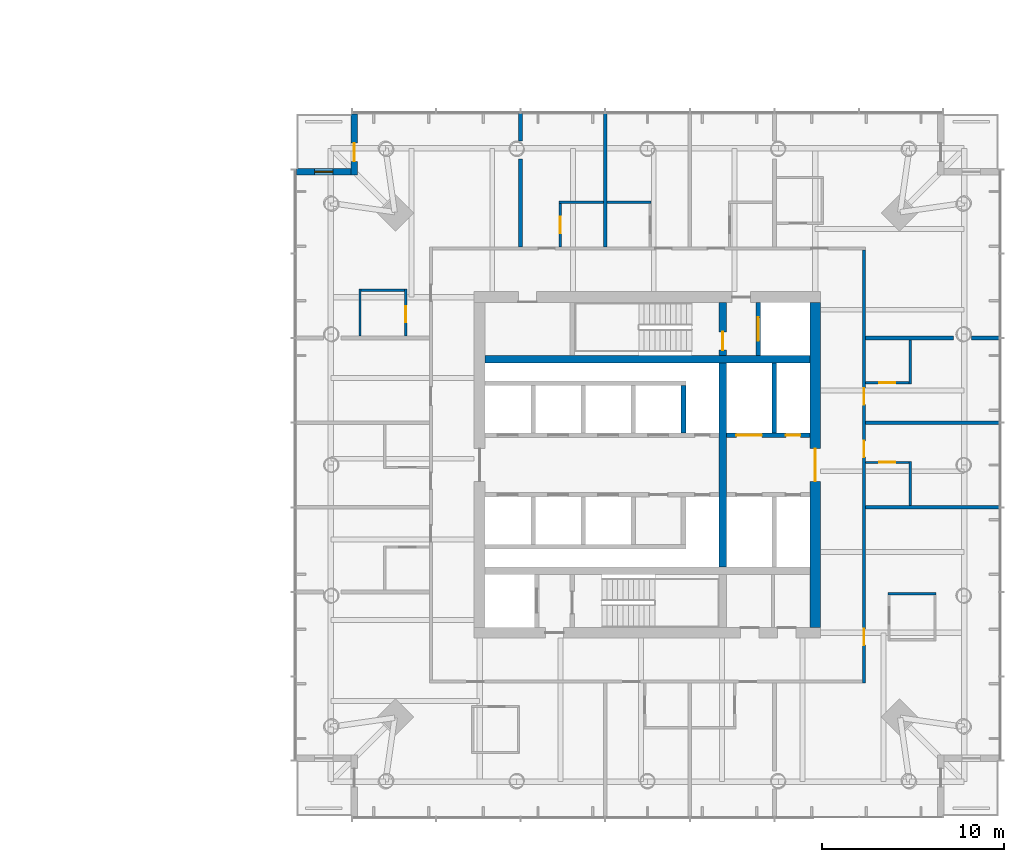
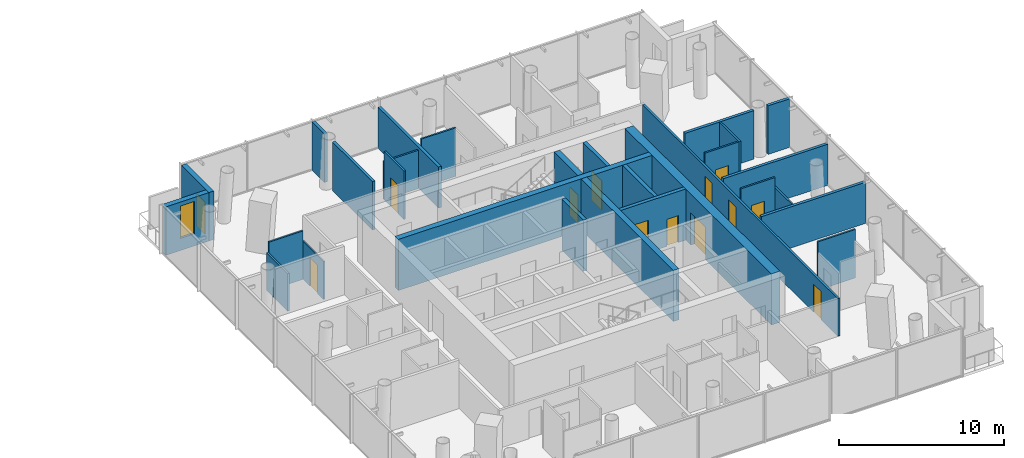
# One storey, part 16 of 21: 29 walls, 13 doors, 1 window, 14 openings.
"""IFC4 building model written with IfcOpenShell, lengths in metres."""

import ifcopenshell
import ifcopenshell.guid

model = None  # the IFC model being written
_history = None  # IfcOwnerHistory: only IFC2X3 demands one
_inside = {}  # id of a spatial element -> (the spatial element, [elements in it])
_under = {}  # id of a project, library or spatial element -> (it, [spatial elements below it])
_declared = {}  # id of a project -> (the project, [libraries it declares])
_typed = {}  # id of a type object -> (the type object, [elements of that type])
_made_of = {}  # id of a material, layer set ... -> (it, [elements and type objects made of it])


def new_model(schema):
    """Start an empty IFC model of exactly this schema.

    Asked for "IFC4X3", IfcOpenShell would pick the latest addendum, in which some entities
    have other attributes; the version numbers below select the first issue.
    IFC2X3 requires an IfcOwnerHistory on every rooted entity: one is made here for all.
    """
    global model, _history
    if schema == "IFC4X3":
        model = ifcopenshell.file(schema_version=(4, 3, 0, 0))
    else:
        model = ifcopenshell.file(schema=schema)
    _inside.clear()
    _under.clear()
    _declared.clear()
    _typed.clear()
    _made_of.clear()
    _history = None
    if model.schema == "IFC2X3":
        org = make("IfcOrganization", Name="unknown")
        user = make(
            "IfcPersonAndOrganization",
            ThePerson=make("IfcPerson", FamilyName="unknown"),
            TheOrganization=org,
        )
        app = make(
            "IfcApplication",
            ApplicationDeveloper=org,
            Version="unknown",
            ApplicationFullName="unknown",
            ApplicationIdentifier="unknown",
        )
        _history = make(
            "IfcOwnerHistory",
            OwningUser=user,
            OwningApplication=app,
            ChangeAction="ADDED",
            CreationDate=0,
        )
    return model


def make(cls, **values):
    """One entity of the class cls with the attributes given. An attribute that is None is left unset."""
    return model.create_entity(
        cls, **{name: value for name, value in values.items() if value is not None}
    )


def rooted(cls, **values):
    """An entity with a GlobalId (a new one), such as an element, a storey or a relation."""
    return make(cls, GlobalId=ifcopenshell.guid.new(), OwnerHistory=_history, **values)


def si_unit(unit_type, name, prefix=None):
    """IfcSIUnit, for example si_unit("LENGTHUNIT", "METRE", prefix="MILLI")."""
    return make("IfcSIUnit", UnitType=unit_type, Prefix=prefix, Name=name)


def assignment(units):
    """IfcUnitAssignment: the units of a project."""
    return None if units is None else make("IfcUnitAssignment", Units=units)


def point(xyz):
    """IfcCartesianPoint."""
    return None if xyz is None else make("IfcCartesianPoint", Coordinates=xyz)


def direction(xyz):
    """IfcDirection."""
    return None if xyz is None else make("IfcDirection", DirectionRatios=xyz)


def frame(location, z_axis=None, x_axis=None):
    """IfcAxis2Placement3D, a coordinate frame: its origin and axes. An axis left out is left unset."""
    return make(
        "IfcAxis2Placement3D",
        Location=point(location),
        Axis=direction(z_axis),
        RefDirection=direction(x_axis),
    )


def frame_2d(location, x_axis=None):
    """IfcAxis2Placement2D, a coordinate frame in the plane: its origin and x axis."""
    return make(
        "IfcAxis2Placement2D", Location=point(location), RefDirection=direction(x_axis)
    )


def origin():
    """The frame at (0, 0, 0) with its axes left unset."""
    return frame((0.0, 0.0, 0.0))


def place(relative_to, where):
    """IfcLocalPlacement: puts the frame where relative to a parent placement (None: the world)."""
    return make(
        "IfcLocalPlacement", PlacementRelTo=relative_to, RelativePlacement=where
    )


def context(
    kind, dimensions, precision=None, world=None, true_north=None, identifier=None
):
    """IfcGeometricRepresentationContext, for example the 3D "Model" context."""
    return make(
        "IfcGeometricRepresentationContext",
        ContextIdentifier=identifier,
        ContextType=kind,
        CoordinateSpaceDimension=dimensions,
        Precision=precision,
        WorldCoordinateSystem=world,
        TrueNorth=true_north,
    )


def subcontext(parent, identifier, kind, view, scale=None):
    """IfcGeometricRepresentationSubContext, for example "Body" below "Model"."""
    return make(
        "IfcGeometricRepresentationSubContext",
        ContextIdentifier=identifier,
        ContextType=kind,
        ParentContext=parent,
        TargetScale=scale,
        TargetView=view,
    )


def project(units=None, contexts=None):
    """IfcProject with its units and contexts."""
    return rooted(
        "IfcProject",
        Name="project",
        RepresentationContexts=contexts,
        UnitsInContext=assignment(units),
    )


def spatial(cls, under=None, at=None, **own):
    """A site, building, storey or space (cls), placed at a placement, below another one or the project."""
    s = rooted(cls, ObjectPlacement=at, **own)
    if under is not None:
        _under.setdefault(under.id(), (under, []))[1].append(s)
    return s


def profile(cls, at=None, kind="AREA", **sizes):
    """A parametric profile (cls). Its sizes go by their IFC names, for example OverallWidth=200.0."""
    return make(cls, ProfileType=kind, Position=at, **sizes)


def rectangle(**sizes):
    """IfcRectangleProfileDef."""
    return profile("IfcRectangleProfileDef", **sizes)


def extrude(swept, where, along, depth):
    """IfcExtrudedAreaSolid: the profile swept, set in the frame where, extruded along a direction by depth."""
    return make(
        "IfcExtrudedAreaSolid",
        SweptArea=swept,
        Position=where,
        ExtrudedDirection=direction(along),
        Depth=depth,
    )


def shape(context_of_items, identifier, shape_type, items):
    """IfcShapeRepresentation: the items that make up one representation, for example the "Body"."""
    return make(
        "IfcShapeRepresentation",
        ContextOfItems=context_of_items,
        RepresentationIdentifier=identifier,
        RepresentationType=shape_type,
        Items=items,
    )


def material(Name=None, Category=None):
    """IfcMaterial."""
    return make("IfcMaterial", Name=Name, Category=Category)


def layer(
    of_material, thickness, ventilated=None, Name=None, Category=None, Priority=None
):
    """IfcMaterialLayer: one layer of a wall or slab, of a material (None: an air gap)."""
    return make(
        "IfcMaterialLayer",
        Material=of_material,
        LayerThickness=thickness,
        IsVentilated=ventilated,
        Name=Name,
        Category=Category,
        Priority=Priority,
    )


def layer_set(layers, Name=None):
    """IfcMaterialLayerSet."""
    return make("IfcMaterialLayerSet", MaterialLayers=layers, LayerSetName=Name)


def made_of(thing, what):
    """Note that an element or type object is made of a material, layer set ...; save() writes the relation."""
    if what is not None:
        _made_of.setdefault(what.id(), (what, []))[1].append(thing)
    return thing


def type_object(cls, material=None, **own):
    """A type object (cls), such as IfcWallType, which elements share."""
    return made_of(rooted(cls, **own), material)


def element(
    cls,
    number,
    at=None,
    inside=None,
    cuts=None,
    type_object=None,
    material=None,
    context=None,
    identifier="Body",
    shape_type=None,
    held_by="IfcProductDefinitionShape",
    body=None,
    shapes=None,
    **own,
):
    """One element of the class cls, such as IfcWall. Its Tag is "e" and its number.

    at: its placement. inside: the storey or other place that contains it. cuts: it is an
    opening in that element (IfcRelVoidsElement). A single representation is given by context,
    identifier, shape_type and body (its items); several are given by shapes. held_by: the class
    of the entity that holds the representations. save() writes the other relations.
    """
    e = rooted(cls, Tag="e%d" % number, ObjectPlacement=at, **own)
    if body is not None:
        shapes = [shape(context, identifier, shape_type, body)]
    if shapes is not None:
        e.Representation = make(held_by, Representations=shapes)
    if inside is not None:
        _inside.setdefault(inside.id(), (inside, []))[1].append(e)
    if cuts is not None:
        rooted(
            "IfcRelVoidsElement", RelatingBuildingElement=cuts, RelatedOpeningElement=e
        )
    if type_object is not None:
        _typed.setdefault(type_object.id(), (type_object, []))[1].append(e)
    return made_of(e, material)


def fill(opening, filler):
    """IfcRelFillsElement: the door or window that sits in an opening."""
    return rooted(
        "IfcRelFillsElement",
        RelatingOpeningElement=opening,
        RelatedBuildingElement=filler,
    )


def aggregate(whole, parts):
    """IfcRelAggregates: a whole, such as a stair, and the parts it consists of."""
    return rooted("IfcRelAggregates", RelatingObject=whole, RelatedObjects=parts)


def save(model, path):
    """Write the relations noted so far, then the file.

    IfcRelAggregates (storeys below a building ...), IfcRelContainedInSpatialStructure (elements
    in a storey), IfcRelDefinesByType, IfcRelAssociatesMaterial and IfcRelDeclares: one each for
    every whole, place, type object, material and project.
    """
    for whole, parts in _under.values():
        aggregate(whole, parts)
    for where, things in _inside.values():
        rooted(
            "IfcRelContainedInSpatialStructure",
            RelatedElements=things,
            RelatingStructure=where,
        )
    for kind, things in _typed.values():
        rooted("IfcRelDefinesByType", RelatedObjects=things, RelatingType=kind)
    for what, things in _made_of.values():
        rooted("IfcRelAssociatesMaterial", RelatedObjects=things, RelatingMaterial=what)
    for by, libraries in _declared.values():
        rooted("IfcRelDeclares", RelatingContext=by, RelatedDefinitions=libraries)
    model.write(path)


model = new_model("IFC4")

# Units and contexts
model_context = context("Model", 3, precision=1e-05, world=origin(), true_north=direction((0.0, 1.0)))
body_context = subcontext(model_context, "Body", "Model", "MODEL_VIEW")
ifc_project = project(units=[si_unit("LENGTHUNIT", "METRE"), si_unit("AREAUNIT", "SQUARE_METRE"), si_unit("VOLUMEUNIT", "CUBIC_METRE"), si_unit("PLANEANGLEUNIT", "RADIAN"), si_unit("MASSUNIT", "GRAM", prefix="KILO")], contexts=[model_context])

# Site, building, storey
site_placement = place(None, origin())
site = spatial("IfcSite", under=ifc_project, at=site_placement, CompositionType="ELEMENT")
building_placement = place(site_placement, origin())
building = spatial("IfcBuilding", under=site, at=building_placement, Name="Ostroluk Exchange", CompositionType="ELEMENT")
storey_placement = place(building_placement, frame((0.0, 0.0, 59.0)))
storey = spatial("IfcBuildingStorey", under=building, at=storey_placement, Name="L14", CompositionType="ELEMENT", Elevation=59.0)

# Walls
ifc_material_1 = material(Name="Concrete C50/60", Category="concrete")
ifc_layer_1 = layer(ifc_material_1, 0.39990234375)
ifc_layer_set_1 = layer_set([ifc_layer_1], Name="Core cross wall 400 C50/60")
wall_type_1 = type_object("IfcWallType", Name="Core cross wall 400 C50/60", PredefinedType="SHEAR", material=ifc_layer_set_1)
wall_1_placement = place(storey_placement, frame((108.10009765625, 51.800048828125, 0.0), z_axis=(0.0, 0.0, 1.0), x_axis=(1.0, 0.0, 0.0)))
element("IfcWall", 1, at=wall_1_placement, inside=storey, type_object=wall_type_1, Name="T2 core wall XN", PredefinedType="SHEAR", context=body_context, shape_type="SweptSolid", body=[
    extrude(rectangle(XDim=17.7998046875, YDim=0.39990234375, at=frame_2d((8.89990234375, 0.0))), origin(), (0.0, 0.0, 1.0), 3.800048828125),
])
wall_2_placement = place(storey_placement, frame((121.1298828125, 40.39990234375, 0.0), z_axis=(0.0, 0.0, 1.0), x_axis=(0.0, 1.0, 0.0)))
element("IfcWall", 2, at=wall_2_placement, inside=storey, type_object=wall_type_1, Name="T2 core wall YE2", PredefinedType="SHEAR", context=body_context, shape_type="SweptSolid", body=[
    extrude(rectangle(XDim=11.2001953125, YDim=0.39990234375, at=frame_2d((5.60009765625, 0.0))), origin(), (0.0, 0.0, 1.0), 3.800048828125),
])

# Wall, opening, door
wall_3_placement = place(storey_placement, frame((121.1298828125, 52.0, 0.0), z_axis=(0.0, 0.0, 1.0), x_axis=(0.0, 1.0, 0.0)))
wall_3 = element("IfcWall", 3, at=wall_3_placement, inside=storey, type_object=wall_type_1, Name="T2 core wall YE3", PredefinedType="SHEAR", context=body_context, shape_type="SweptSolid", body=[
    extrude(rectangle(XDim=2.89990234375, YDim=0.39990234375, at=frame_2d((1.449951171875, 0.0))), origin(), (0.0, 0.0, 1.0), 3.800048828125),
])
opening_1_placement = place(wall_3_placement, frame((0.300048828125, 0.0, 0.0)))
opening_1 = element("IfcOpeningElement", 4, at=opening_1_placement, cuts=wall_3, Name="Opening FD60", PredefinedType="OPENING", context=body_context, shape_type="SweptSolid", body=[
    extrude(rectangle(XDim=1.0, YDim=2.10009765625, at=frame_2d((0.5, 1.050048828125))), frame((0.0, 0.2099609375, 0.0), z_axis=(0.0, -1.0, 0.0), x_axis=(1.0, 0.0, 0.0)), (0.0, 0.0, 1.0), 0.419921875),
])
ifc_material_2 = material(Name="Steel", Category="steel")
door_type_1 = type_object("IfcDoorType", Name="Fire door EI 60 1000 x 2100", OperationType="SINGLE_SWING_LEFT", PredefinedType="DOOR", material=ifc_material_2)
door_1_placement = place(opening_1_placement, origin())
door_1 = element("IfcDoor", 5, at=door_1_placement, inside=storey, type_object=door_type_1, Name="Stair T2-S2 door", OperationType="SINGLE_SWING_LEFT", OverallHeight=2.10009765625, OverallWidth=1.0, PredefinedType="DOOR", context=body_context, shape_type="SweptSolid", body=[
    extrude(rectangle(XDim=1.0, YDim=2.10009765625, at=frame_2d((0.5, 1.050048828125))), frame((0.0, 0.02490234375, 0.0), z_axis=(0.0, -1.0, 0.0), x_axis=(1.0, 0.0, 0.0)), (0.0, 0.0, 1.0), 0.050048828125),
])
fill(opening_1, door_1)

ifc_material_3 = material(Name="Concrete C40/50", Category="concrete")
ifc_layer_2 = layer(ifc_material_3, 0.25)
ifc_layer_set_2 = layer_set([ifc_layer_2], Name="Core shaft wall 250")
wall_type_2 = type_object("IfcWallType", Name="Core shaft wall 250", PredefinedType="SHEAR", material=ifc_layer_set_2)
wall_4_placement = place(storey_placement, frame((123.074951171875, 52.0, 0.0), z_axis=(0.0, 0.0, 1.0), x_axis=(0.0, 1.0, 0.0)))
wall_4 = element("IfcWall", 6, at=wall_4_placement, inside=storey, type_object=wall_type_2, Name="Firefighting lift shaft wall", PredefinedType="SHEAR", context=body_context, shape_type="SweptSolid", body=[
    extrude(rectangle(XDim=2.89990234375, YDim=0.25, at=frame_2d((1.449951171875, 0.0))), origin(), (0.0, 0.0, 1.0), 3.800048828125),
])
opening_2_placement = place(wall_4_placement, frame((0.800048828125, 0.0, 0.0)))
opening_2 = element("IfcOpeningElement", 7, at=opening_2_placement, cuts=wall_4, Name="Opening LD2", PredefinedType="OPENING", context=body_context, shape_type="SweptSolid", body=[
    extrude(rectangle(XDim=1.300048828125, YDim=2.199951171875, at=frame_2d((0.64990234375, 1.10009765625))), frame((0.0, 0.135009765625, 0.0), z_axis=(0.0, -1.0, 0.0), x_axis=(1.0, 0.0, 0.0)), (0.0, 0.0, 1.0), 0.27001953125),
])
ifc_material_4 = material(Name="Stainless steel", Category="steel")
door_type_2 = type_object("IfcDoorType", Name="Lift landing door E 60 1300 x 2200", OperationType="DOUBLE_DOOR_SLIDING", PredefinedType="DOOR", material=ifc_material_4)
door_2_placement = place(opening_2_placement, origin())
door_2 = element("IfcDoor", 8, at=door_2_placement, inside=storey, type_object=door_type_2, Name="Lift HF2 landing door", OperationType="DOUBLE_DOOR_SLIDING", OverallHeight=2.199951171875, OverallWidth=1.300048828125, PredefinedType="DOOR", context=body_context, shape_type="SweptSolid", body=[
    extrude(rectangle(XDim=1.300048828125, YDim=2.199951171875, at=frame_2d((0.64990234375, 1.10009765625))), frame((0.0, 0.02490234375, 0.0), z_axis=(0.0, -1.0, 0.0), x_axis=(1.0, 0.0, 0.0)), (0.0, 0.0, 1.0), 0.050048828125),
])
fill(opening_2, door_2)

# Walls
wall_5_placement = place(storey_placement, frame((118.97509765625, 47.75, 0.0), z_axis=(0.0, 0.0, 1.0), x_axis=(0.0, 1.0, 0.0)))
element("IfcWall", 9, at=wall_5_placement, inside=storey, type_object=wall_type_2, Name="Lift shaft wall", PredefinedType="SHEAR", context=body_context, shape_type="SweptSolid", body=[
    extrude(rectangle(XDim=2.60009765625, YDim=0.25, at=frame_2d((1.300048828125, 0.0))), origin(), (0.0, 0.0, 1.0), 3.800048828125),
])
wall_6_placement = place(storey_placement, frame((123.955078125, 47.75, 0.0), z_axis=(0.0, 0.0, 1.0), x_axis=(0.0, 1.0, 0.0)))
element("IfcWall", 10, at=wall_6_placement, inside=storey, type_object=wall_type_2, Name="Lift shaft wall", PredefinedType="SHEAR", context=body_context, shape_type="SweptSolid", body=[
    extrude(rectangle(XDim=3.85009765625, YDim=0.25, at=frame_2d((1.925048828125, 0.0))), origin(), (0.0, 0.0, 1.0), 3.800048828125),
])

# Wall, openings, doors
wall_7_placement = place(storey_placement, frame((121.330078125, 47.625, 0.0), z_axis=(0.0, 0.0, 1.0), x_axis=(1.0, 0.0, 0.0)))
wall_7 = element("IfcWall", 11, at=wall_7_placement, inside=storey, type_object=wall_type_2, Name="Lift shaft front wall", PredefinedType="SHEAR", context=body_context, shape_type="SweptSolid", body=[
    extrude(rectangle(XDim=4.56982421875, YDim=0.25, at=frame_2d((2.284912109375, 0.0))), origin(), (0.0, 0.0, 1.0), 3.800048828125),
])
opening_3_placement = place(wall_7_placement, frame((0.550048828125, 0.0, 0.0)))
opening_3 = element("IfcOpeningElement", 12, at=opening_3_placement, cuts=wall_7, Name="Opening LD3", PredefinedType="OPENING", context=body_context, shape_type="SweptSolid", body=[
    extrude(rectangle(XDim=1.39990234375, YDim=2.39990234375, at=frame_2d((0.699951171875, 1.199951171875))), frame((0.0, 0.135009765625, 0.0), z_axis=(0.0, -1.0, 0.0), x_axis=(1.0, 0.0, 0.0)), (0.0, 0.0, 1.0), 0.27001953125),
])
opening_4_placement = place(wall_7_placement, frame((3.260009765625, 0.0, 0.0)))
opening_4 = element("IfcOpeningElement", 13, at=opening_4_placement, cuts=wall_7, Name="Opening RD60", PredefinedType="OPENING", context=body_context, shape_type="SweptSolid", body=[
    extrude(rectangle(XDim=0.800048828125, YDim=2.0, at=frame_2d((0.39990234375, 1.0))), frame((0.0, 0.135009765625, 0.0), z_axis=(0.0, -1.0, 0.0), x_axis=(1.0, 0.0, 0.0)), (0.0, 0.0, 1.0), 0.27001953125),
])
ifc_material_5 = material(Name="Stainless steel", Category="steel")
door_type_3 = type_object("IfcDoorType", Name="Goods lift landing door E 60 1400 x 2400", OperationType="DOUBLE_DOOR_SLIDING", PredefinedType="DOOR", material=ifc_material_5)
door_3_placement = place(opening_3_placement, origin())
door_3 = element("IfcDoor", 14, at=door_3_placement, inside=storey, type_object=door_type_3, Name="Lift HS1 landing door", OperationType="DOUBLE_DOOR_SLIDING", OverallHeight=2.39990234375, OverallWidth=1.39990234375, PredefinedType="DOOR", context=body_context, shape_type="SweptSolid", body=[
    extrude(rectangle(XDim=1.39990234375, YDim=2.39990234375, at=frame_2d((0.699951171875, 1.199951171875))), frame((0.0, 0.02490234375, 0.0), z_axis=(0.0, -1.0, 0.0), x_axis=(1.0, 0.0, 0.0)), (0.0, 0.0, 1.0), 0.050048828125),
])
fill(opening_3, door_3)
ifc_material_6 = material(Name="Steel", Category="steel")
door_type_4 = type_object("IfcDoorType", Name="Riser access door EI 60 800 x 2000", OperationType="SINGLE_SWING_LEFT", PredefinedType="DOOR", material=ifc_material_6)
door_4_placement = place(opening_4_placement, origin())
door_4 = element("IfcDoor", 15, at=door_4_placement, inside=storey, type_object=door_type_4, Name="Riser access door", OperationType="SINGLE_SWING_RIGHT", OverallHeight=2.0, OverallWidth=0.800048828125, PredefinedType="DOOR", context=body_context, shape_type="SweptSolid", body=[
    extrude(rectangle(XDim=0.800048828125, YDim=2.0, at=frame_2d((0.39990234375, 1.0))), frame((0.0, 0.02490234375, 0.0), z_axis=(0.0, -1.0, 0.0), x_axis=(1.0, 0.0, 0.0)), (0.0, 0.0, 1.0), 0.050048828125),
])
fill(opening_4, door_4)

# Wall, opening, door
ifc_material_7 = material(Name="Concrete C50/60", Category="concrete")
ifc_layer_3 = layer(ifc_material_7, 0.60009765625)
ifc_layer_set_3 = layer_set([ifc_layer_3], Name="Core wall 600 C50/60")
wall_type_3 = type_object("IfcWallType", Name="Core wall 600 C50/60", PredefinedType="SHEAR", material=ifc_layer_set_3)
wall_8_placement = place(storey_placement, frame((126.199951171875, 37.10009765625, 0.0), z_axis=(0.0, 0.0, 1.0), x_axis=(0.0, 1.0, 0.0)))
wall_8 = element("IfcWall", 16, at=wall_8_placement, inside=storey, type_object=wall_type_3, Name="T2 core wall E", PredefinedType="SHEAR", context=body_context, shape_type="SweptSolid", body=[
    extrude(rectangle(XDim=17.7998046875, YDim=0.60009765625, at=frame_2d((8.89990234375, 0.0))), origin(), (0.0, 0.0, 1.0), 3.800048828125),
])
opening_5_placement = place(wall_8_placement, frame((8.0, 0.0, 0.0)))
opening_5 = element("IfcOpeningElement", 17, at=opening_5_placement, cuts=wall_8, Name="Opening FD30D", PredefinedType="OPENING", context=body_context, shape_type="SweptSolid", body=[
    extrude(rectangle(XDim=1.800048828125, YDim=2.39990234375, at=frame_2d((0.89990234375, 1.199951171875))), frame((0.0, 0.31005859375, 0.0), z_axis=(0.0, -1.0, 0.0), x_axis=(1.0, 0.0, 0.0)), (0.0, 0.0, 1.0), 0.6201171875),
])
ifc_material_8 = material(Name="Timber", Category="wood")
door_type_5 = type_object("IfcDoorType", Name="Lobby double door EI 30 1800 x 2400", OperationType="DOUBLE_DOOR_SINGLE_SWING", PredefinedType="DOOR", material=ifc_material_8)
door_5_placement = place(opening_5_placement, origin())
door_5 = element("IfcDoor", 18, at=door_5_placement, inside=storey, type_object=door_type_5, Name="Lift lobby doors", OperationType="DOUBLE_DOOR_SINGLE_SWING", OverallHeight=2.39990234375, OverallWidth=1.800048828125, PredefinedType="DOOR", context=body_context, shape_type="SweptSolid", body=[
    extrude(rectangle(XDim=1.800048828125, YDim=2.39990234375, at=frame_2d((0.89990234375, 1.199951171875))), frame((0.0, 0.02490234375, 0.0), z_axis=(0.0, -1.0, 0.0), x_axis=(1.0, 0.0, 0.0)), (0.0, 0.0, 1.0), 0.050048828125),
])
fill(opening_5, door_5)

ifc_material_9 = material(Name="Limestone", Category="masonry")
ifc_layer_4 = layer(ifc_material_9, 0.35009765625)
ifc_layer_set_4 = layer_set([ifc_layer_4], Name="Limestone facade wall 350")
wall_type_4 = type_object("IfcWallType", Name="Limestone facade wall 350", PredefinedType="SOLIDWALL", material=ifc_layer_set_4)
wall_9_placement = place(storey_placement, frame((100.925048828125, 65.25, 0.0), z_axis=(0.0, 0.0, 1.0), x_axis=(0.0, -1.0, 0.0)))
wall_9 = element("IfcWall", 19, at=wall_9_placement, inside=storey, type_object=wall_type_4, Name="Hotel tower NW corner wall L14 a", PredefinedType="SOLIDWALL", context=body_context, shape_type="SweptSolid", body=[
    extrude(rectangle(XDim=3.35009765625, YDim=0.35009765625, at=frame_2d((1.675048828125, 0.0))), origin(), (0.0, 0.0, 1.0), 3.60009765625),
])
opening_6_placement = place(wall_9_placement, frame((1.60009765625, 0.0, 0.0)))
opening_6 = element("IfcOpeningElement", 20, at=opening_6_placement, cuts=wall_9, Name="Opening D-B1", PredefinedType="OPENING", context=body_context, shape_type="SweptSolid", body=[
    extrude(rectangle(XDim=1.0, YDim=2.39990234375, at=frame_2d((0.5, 1.199951171875))), frame((0.0, 0.18505859375, 0.0), z_axis=(0.0, -1.0, 0.0), x_axis=(1.0, 0.0, 0.0)), (0.0, 0.0, 1.0), 0.3701171875),
])
ifc_material_10 = material(Name="Bronze framed glazed door", Category="aluminium")
door_type_6 = type_object("IfcDoorType", Name="Balcony door 1000 x 2400", OperationType="SINGLE_SWING_LEFT", PredefinedType="DOOR", material=ifc_material_10)
door_6_placement = place(opening_6_placement, origin())
door_6 = element("IfcDoor", 21, at=door_6_placement, inside=storey, type_object=door_type_6, Name="Hotel tower NW balcony door L14", OperationType="SINGLE_SWING_RIGHT", OverallHeight=2.39990234375, OverallWidth=1.0, PredefinedType="DOOR", context=body_context, shape_type="SweptSolid", body=[
    extrude(rectangle(XDim=1.0, YDim=2.39990234375, at=frame_2d((0.5, 1.199951171875))), frame((0.0, 0.02490234375, 0.0), z_axis=(0.0, -1.0, 0.0), x_axis=(1.0, 0.0, 0.0)), (0.0, 0.0, 1.0), 0.050048828125),
])
fill(opening_6, door_6)

# Wall, opening, window
wall_10_placement = place(storey_placement, frame((100.75, 62.074951171875, 0.0), z_axis=(0.0, 0.0, 1.0), x_axis=(-1.0, 0.0, 0.0)))
wall_10 = element("IfcWall", 22, at=wall_10_placement, inside=storey, type_object=wall_type_4, Name="Hotel tower NW corner wall L14 b", PredefinedType="SOLIDWALL", context=body_context, shape_type="SweptSolid", body=[
    extrude(rectangle(XDim=3.0, YDim=0.35009765625, at=frame_2d((1.5, 0.0))), origin(), (0.0, 0.0, 1.0), 3.60009765625),
])
opening_7_placement = place(wall_10_placement, frame((1.0, 0.0, 0.89990234375)))
opening_7 = element("IfcOpeningElement", 23, at=opening_7_placement, cuts=wall_10, Name="Opening WN-L3", PredefinedType="OPENING", context=body_context, shape_type="SweptSolid", body=[
    extrude(rectangle(XDim=1.0, YDim=2.39990234375, at=frame_2d((0.5, 1.199951171875))), frame((0.0, 0.18505859375, 0.0), z_axis=(0.0, -1.0, 0.0), x_axis=(1.0, 0.0, 0.0)), (0.0, 0.0, 1.0), 0.3701171875),
])
ifc_material_11 = material(Name="Laminated clear glass", Category="glass")
window_type = type_object("IfcWindowType", Name="Hotel lancet window 1000 x 2400", PartitioningType="SINGLE_PANEL", PredefinedType="WINDOW", material=ifc_material_11)
window_placement = place(opening_7_placement, origin())
window = element("IfcWindow", 24, at=window_placement, inside=storey, type_object=window_type, Name="Hotel tower NW lancet window L14", OverallHeight=2.39990234375, OverallWidth=1.0, PartitioningType="SINGLE_PANEL", PredefinedType="WINDOW", context=body_context, shape_type="SweptSolid", body=[
    extrude(rectangle(XDim=1.0, YDim=2.39990234375, at=frame_2d((0.5, 1.199951171875))), frame((0.0, 0.030029296875, 0.0), z_axis=(0.0, -1.0, 0.0), x_axis=(1.0, 0.0, 0.0)), (0.0, 0.0, 1.0), 0.06005859375),
])
fill(opening_7, window)

# Walls
ifc_material_12 = material(Name="Gypsum plasterboard partition, moisture resistant", Category="gypsum")
ifc_layer_5 = layer(ifc_material_12, 0.1201171875)
ifc_layer_set_5 = layer_set([ifc_layer_5], Name="Plasterboard en-suite wall 120")
wall_type_5 = type_object("IfcWallType", Name="Plasterboard en-suite wall 120", PredefinedType="PARTITIONING", material=ifc_layer_set_5)
wall_11_placement = place(storey_placement, frame((130.18994140625, 38.935791015625, 0.0), z_axis=(0.0, 0.0, 1.0), x_axis=(1.0, 0.0, 0.0)))
element("IfcWall", 25, at=wall_11_placement, inside=storey, type_object=wall_type_5, Name="En-suite wall", PredefinedType="PARTITIONING", context=body_context, shape_type="SweptSolid", body=[
    extrude(rectangle(XDim=2.64013671875, YDim=0.1201171875, at=frame_2d((1.320068359375, 0.0))), origin(), (0.0, 0.0, 1.0), 3.60009765625),
])
wall_12_placement = place(storey_placement, frame((131.409912109375, 43.778564453125, 0.0), z_axis=(0.0, 0.0, 1.0), x_axis=(0.0, 1.0, 0.0)))
element("IfcWall", 26, at=wall_12_placement, inside=storey, type_object=wall_type_5, Name="En-suite wall", PredefinedType="PARTITIONING", context=body_context, shape_type="SweptSolid", body=[
    extrude(rectangle(XDim=2.419921875, YDim=0.1201171875, at=frame_2d((1.2099609375, 0.0))), origin(), (0.0, 0.0, 1.0), 2.846923828125),
])

# Wall, opening, door
wall_13_placement = place(storey_placement, frame((128.949951171875, 46.138671875, 0.0), z_axis=(0.0, 0.0, 1.0), x_axis=(1.0, 0.0, 0.0)))
wall_13 = element("IfcWall", 27, at=wall_13_placement, inside=storey, type_object=wall_type_5, Name="En-suite wall", PredefinedType="PARTITIONING", context=body_context, shape_type="SweptSolid", body=[
    extrude(rectangle(XDim=2.400146484375, YDim=0.1201171875, at=frame_2d((1.2001953125, 0.0))), origin(), (0.0, 0.0, 1.0), 3.60009765625),
])
opening_8_placement = place(wall_13_placement, frame((0.75, 0.0, 0.0)))
opening_8 = element("IfcOpeningElement", 28, at=opening_8_placement, cuts=wall_13, Name="Opening D-02", PredefinedType="OPENING", context=body_context, shape_type="SweptSolid", body=[
    extrude(rectangle(XDim=0.89990234375, YDim=2.10009765625, at=frame_2d((0.449951171875, 1.050048828125))), frame((0.0, 0.070068359375, 0.0), z_axis=(0.0, -1.0, 0.0), x_axis=(1.0, 0.0, 0.0)), (0.0, 0.0, 1.0), 0.14013671875),
])
ifc_material_13 = material(Name="Timber", Category="wood")
door_type_7 = type_object("IfcDoorType", Name="En-suite door 900 x 2100", OperationType="SINGLE_SWING_LEFT", PredefinedType="DOOR", material=ifc_material_13)
door_7_placement = place(opening_8_placement, origin())
door_7 = element("IfcDoor", 29, at=door_7_placement, inside=storey, type_object=door_type_7, Name="En-suite door 1402", OperationType="SINGLE_SWING_LEFT", OverallHeight=2.10009765625, OverallWidth=0.89990234375, PredefinedType="DOOR", context=body_context, shape_type="SweptSolid", body=[
    extrude(rectangle(XDim=0.89990234375, YDim=2.10009765625, at=frame_2d((0.449951171875, 1.050048828125))), frame((0.0, 0.02490234375, 0.0), z_axis=(0.0, -1.0, 0.0), x_axis=(1.0, 0.0, 0.0)), (0.0, 0.0, 1.0), 0.050048828125),
])
fill(opening_8, door_7)

# Wall
wall_14_placement = place(storey_placement, frame((131.409912109375, 50.4443359375, 0.0), z_axis=(0.0, 0.0, 1.0), x_axis=(0.0, 1.0, 0.0)))
element("IfcWall", 30, at=wall_14_placement, inside=storey, type_object=wall_type_5, Name="En-suite wall", PredefinedType="PARTITIONING", context=body_context, shape_type="SweptSolid", body=[
    extrude(rectangle(XDim=2.419921875, YDim=0.1201171875, at=frame_2d((1.2099609375, 0.0))), origin(), (0.0, 0.0, 1.0), 3.60009765625),
])

# Wall, opening, door
wall_15_placement = place(storey_placement, frame((128.949951171875, 50.50439453125, 0.0), z_axis=(0.0, 0.0, 1.0), x_axis=(1.0, 0.0, 0.0)))
wall_15 = element("IfcWall", 31, at=wall_15_placement, inside=storey, type_object=wall_type_5, Name="En-suite wall", PredefinedType="PARTITIONING", context=body_context, shape_type="SweptSolid", body=[
    extrude(rectangle(XDim=2.400146484375, YDim=0.1201171875, at=frame_2d((1.2001953125, 0.0))), origin(), (0.0, 0.0, 1.0), 3.60009765625),
])
opening_9_placement = place(wall_15_placement, frame((0.75, 0.0, 0.0)))
opening_9 = element("IfcOpeningElement", 32, at=opening_9_placement, cuts=wall_15, Name="Opening D-02", PredefinedType="OPENING", context=body_context, shape_type="SweptSolid", body=[
    extrude(rectangle(XDim=0.89990234375, YDim=2.10009765625, at=frame_2d((0.449951171875, 1.050048828125))), frame((0.0, 0.070068359375, 0.0), z_axis=(0.0, -1.0, 0.0), x_axis=(1.0, 0.0, 0.0)), (0.0, 0.0, 1.0), 0.14013671875),
])
door_8_placement = place(opening_9_placement, origin())
door_8 = element("IfcDoor", 33, at=door_8_placement, inside=storey, type_object=door_type_7, Name="En-suite door 1403", OperationType="SINGLE_SWING_LEFT", OverallHeight=2.10009765625, OverallWidth=0.89990234375, PredefinedType="DOOR", context=body_context, shape_type="SweptSolid", body=[
    extrude(rectangle(XDim=0.89990234375, YDim=2.10009765625, at=frame_2d((0.449951171875, 1.050048828125))), frame((0.0, 0.02490234375, 0.0), z_axis=(0.0, -1.0, 0.0), x_axis=(1.0, 0.0, 0.0)), (0.0, 0.0, 1.0), 0.050048828125),
])
fill(opening_9, door_8)

# Walls
wall_16_placement = place(storey_placement, frame((117.198486328125, 60.409912109375, 0.0), z_axis=(0.0, 0.0, 1.0), x_axis=(-1.0, 0.0, 0.0)))
element("IfcWall", 34, at=wall_16_placement, inside=storey, type_object=wall_type_5, Name="En-suite wall", PredefinedType="PARTITIONING", context=body_context, shape_type="SweptSolid", body=[
    extrude(rectangle(XDim=2.419921875, YDim=0.1201171875, at=frame_2d((1.2099609375, 0.0))), origin(), (0.0, 0.0, 1.0), 3.60009765625),
])
wall_17_placement = place(storey_placement, frame((114.57861328125, 60.409912109375, 0.0), z_axis=(0.0, 0.0, 1.0), x_axis=(-1.0, 0.0, 0.0)))
element("IfcWall", 35, at=wall_17_placement, inside=storey, type_object=wall_type_5, Name="En-suite wall", PredefinedType="PARTITIONING", context=body_context, shape_type="SweptSolid", body=[
    extrude(rectangle(XDim=2.419921875, YDim=0.1201171875, at=frame_2d((1.2099609375, 0.0))), origin(), (0.0, 0.0, 1.0), 2.846923828125),
])

# Wall, opening, door
wall_18_placement = place(storey_placement, frame((112.218505859375, 57.949951171875, 0.0), z_axis=(0.0, 0.0, 1.0), x_axis=(0.0, 1.0, 0.0)))
wall_18 = element("IfcWall", 36, at=wall_18_placement, inside=storey, type_object=wall_type_5, Name="En-suite wall", PredefinedType="PARTITIONING", context=body_context, shape_type="SweptSolid", body=[
    extrude(rectangle(XDim=2.400146484375, YDim=0.1201171875, at=frame_2d((1.2001953125, 0.0))), origin(), (0.0, 0.0, 1.0), 3.60009765625),
])
opening_10_placement = place(wall_18_placement, frame((0.75, 0.0, 0.0)))
opening_10 = element("IfcOpeningElement", 37, at=opening_10_placement, cuts=wall_18, Name="Opening D-02", PredefinedType="OPENING", context=body_context, shape_type="SweptSolid", body=[
    extrude(rectangle(XDim=0.89990234375, YDim=2.10009765625, at=frame_2d((0.449951171875, 1.050048828125))), frame((0.0, 0.070068359375, 0.0), z_axis=(0.0, -1.0, 0.0), x_axis=(1.0, 0.0, 0.0)), (0.0, 0.0, 1.0), 0.14013671875),
])
door_9_placement = place(opening_10_placement, origin())
door_9 = element("IfcDoor", 38, at=door_9_placement, inside=storey, type_object=door_type_7, Name="En-suite door 1407", OperationType="SINGLE_SWING_RIGHT", OverallHeight=2.10009765625, OverallWidth=0.89990234375, PredefinedType="DOOR", context=body_context, shape_type="SweptSolid", body=[
    extrude(rectangle(XDim=0.89990234375, YDim=2.10009765625, at=frame_2d((0.449951171875, 1.050048828125))), frame((0.0, 0.02490234375, 0.0), z_axis=(0.0, -1.0, 0.0), x_axis=(1.0, 0.0, 0.0)), (0.0, 0.0, 1.0), 0.050048828125),
])
fill(opening_10, door_9)

wall_19_placement = place(storey_placement, frame((103.75, 53.064208984375, 0.0), z_axis=(0.0, 0.0, 1.0), x_axis=(0.0, 1.0, 0.0)))
wall_19 = element("IfcWall", 39, at=wall_19_placement, inside=storey, type_object=wall_type_5, Name="En-suite wall", PredefinedType="PARTITIONING", context=body_context, shape_type="SweptSolid", body=[
    extrude(rectangle(XDim=2.580078125, YDim=0.1201171875, at=frame_2d((1.2900390625, 0.0))), origin(), (0.0, 0.0, 1.0), 2.800048828125),
])
opening_11_placement = place(wall_19_placement, frame((0.75, 0.0, 0.0)))
opening_11 = element("IfcOpeningElement", 40, at=opening_11_placement, cuts=wall_19, Name="Opening D-02", PredefinedType="OPENING", context=body_context, shape_type="SweptSolid", body=[
    extrude(rectangle(XDim=0.89990234375, YDim=2.10009765625, at=frame_2d((0.449951171875, 1.050048828125))), frame((0.0, 0.070068359375, 0.0), z_axis=(0.0, -1.0, 0.0), x_axis=(1.0, 0.0, 0.0)), (0.0, 0.0, 1.0), 0.14013671875),
])
door_10_placement = place(opening_11_placement, origin())
door_10 = element("IfcDoor", 41, at=door_10_placement, inside=storey, type_object=door_type_7, Name="En-suite door 1408", OperationType="SINGLE_SWING_LEFT", OverallHeight=2.10009765625, OverallWidth=0.89990234375, PredefinedType="DOOR", context=body_context, shape_type="SweptSolid", body=[
    extrude(rectangle(XDim=0.89990234375, YDim=2.10009765625, at=frame_2d((0.449951171875, 1.050048828125))), frame((0.0, 0.02490234375, 0.0), z_axis=(0.0, -1.0, 0.0), x_axis=(1.0, 0.0, 0.0)), (0.0, 0.0, 1.0), 0.050048828125),
])
fill(opening_11, door_10)

# Walls
wall_20_placement = place(storey_placement, frame((101.22998046875, 53.064208984375, 0.0), z_axis=(0.0, 0.0, 1.0), x_axis=(0.0, 1.0, 0.0)))
element("IfcWall", 42, at=wall_20_placement, inside=storey, type_object=wall_type_5, Name="En-suite wall", PredefinedType="PARTITIONING", context=body_context, shape_type="SweptSolid", body=[
    extrude(rectangle(XDim=2.580078125, YDim=0.1201171875, at=frame_2d((1.2900390625, 0.0))), origin(), (0.0, 0.0, 1.0), 2.800048828125),
])
wall_21_placement = place(storey_placement, frame((103.68994140625, 55.584228515625, 0.0), z_axis=(0.0, 0.0, 1.0), x_axis=(-1.0, 0.0, 0.0)))
element("IfcWall", 43, at=wall_21_placement, inside=storey, type_object=wall_type_5, Name="En-suite wall", PredefinedType="PARTITIONING", context=body_context, shape_type="SweptSolid", body=[
    extrude(rectangle(XDim=2.39990234375, YDim=0.1201171875, at=frame_2d((1.199951171875, 0.0))), origin(), (0.0, 0.0, 1.0), 3.60009765625),
])

# Wall, openings, doors
ifc_material_14 = material(Name="Gypsum plasterboard partition", Category="gypsum")
ifc_layer_6 = layer(ifc_material_14, 0.14990234375)
ifc_layer_set_6 = layer_set([ifc_layer_6], Name="Plasterboard partition 150")
wall_type_6 = type_object("IfcWallType", Name="Plasterboard partition 150", PredefinedType="PARTITIONING", material=ifc_layer_set_6)
wall_22_placement = place(storey_placement, frame((128.875, 34.050048828125, 0.0), z_axis=(0.0, 0.0, 1.0), x_axis=(0.0, 1.0, 0.0)))
wall_22 = element("IfcWall", 44, at=wall_22_placement, inside=storey, type_object=wall_type_6, Name="Corridor wall", PredefinedType="PARTITIONING", context=body_context, shape_type="SweptSolid", body=[
    extrude(rectangle(XDim=23.75, YDim=0.14990234375, at=frame_2d((11.875, 0.0))), origin(), (0.0, 0.0, 1.0), 2.800048828125),
])
opening_12_placement = place(wall_22_placement, frame((2.06787109375, 0.0, 0.0)))
opening_12 = element("IfcOpeningElement", 45, at=opening_12_placement, cuts=wall_22, Name="Opening D-01", PredefinedType="OPENING", context=body_context, shape_type="SweptSolid", body=[
    extrude(rectangle(XDim=0.89990234375, YDim=2.10009765625, at=frame_2d((0.449951171875, 1.050048828125))), frame((0.0, 0.0849609375, 0.0), z_axis=(0.0, -1.0, 0.0), x_axis=(1.0, 0.0, 0.0)), (0.0, 0.0, 1.0), 0.169921875),
])
opening_13_placement = place(wall_22_placement, frame((12.378662109375, 0.0, 0.0)))
opening_13 = element("IfcOpeningElement", 46, at=opening_13_placement, cuts=wall_22, Name="Opening D-01", PredefinedType="OPENING", context=body_context, shape_type="SweptSolid", body=[
    extrude(rectangle(XDim=0.89990234375, YDim=2.10009765625, at=frame_2d((0.449951171875, 1.050048828125))), frame((0.0, 0.0849609375, 0.0), z_axis=(0.0, -1.0, 0.0), x_axis=(1.0, 0.0, 0.0)), (0.0, 0.0, 1.0), 0.169921875),
])
opening_14_placement = place(wall_22_placement, frame((15.264404296875, 0.0, 0.0)))
opening_14 = element("IfcOpeningElement", 47, at=opening_14_placement, cuts=wall_22, Name="Opening D-01", PredefinedType="OPENING", context=body_context, shape_type="SweptSolid", body=[
    extrude(rectangle(XDim=0.89990234375, YDim=2.10009765625, at=frame_2d((0.449951171875, 1.050048828125))), frame((0.0, 0.0849609375, 0.0), z_axis=(0.0, -1.0, 0.0), x_axis=(1.0, 0.0, 0.0)), (0.0, 0.0, 1.0), 0.169921875),
])
ifc_material_15 = material(Name="Timber", Category="wood")
door_type_8 = type_object("IfcDoorType", Name="Hotel room door EI 30 Sa 900 x 2100", OperationType="SINGLE_SWING_LEFT", PredefinedType="DOOR", material=ifc_material_15)
door_11_placement = place(opening_12_placement, origin())
door_11 = element("IfcDoor", 48, at=door_11_placement, inside=storey, type_object=door_type_8, Name="Room door 1401", OperationType="SINGLE_SWING_LEFT", OverallHeight=2.10009765625, OverallWidth=0.89990234375, PredefinedType="DOOR", context=body_context, shape_type="SweptSolid", body=[
    extrude(rectangle(XDim=0.89990234375, YDim=2.10009765625, at=frame_2d((0.449951171875, 1.050048828125))), frame((0.0, 0.02490234375, 0.0), z_axis=(0.0, -1.0, 0.0), x_axis=(1.0, 0.0, 0.0)), (0.0, 0.0, 1.0), 0.050048828125),
])
fill(opening_12, door_11)
door_12_placement = place(opening_13_placement, origin())
door_12 = element("IfcDoor", 49, at=door_12_placement, inside=storey, type_object=door_type_8, Name="Room door 1402", OperationType="SINGLE_SWING_RIGHT", OverallHeight=2.10009765625, OverallWidth=0.89990234375, PredefinedType="DOOR", context=body_context, shape_type="SweptSolid", body=[
    extrude(rectangle(XDim=0.89990234375, YDim=2.10009765625, at=frame_2d((0.449951171875, 1.050048828125))), frame((0.0, 0.02490234375, 0.0), z_axis=(0.0, -1.0, 0.0), x_axis=(1.0, 0.0, 0.0)), (0.0, 0.0, 1.0), 0.050048828125),
])
fill(opening_13, door_12)
door_13_placement = place(opening_14_placement, origin())
door_13 = element("IfcDoor", 50, at=door_13_placement, inside=storey, type_object=door_type_8, Name="Room door 1403", OperationType="SINGLE_SWING_RIGHT", OverallHeight=2.10009765625, OverallWidth=0.89990234375, PredefinedType="DOOR", context=body_context, shape_type="SweptSolid", body=[
    extrude(rectangle(XDim=0.89990234375, YDim=2.10009765625, at=frame_2d((0.449951171875, 1.050048828125))), frame((0.0, 0.02490234375, 0.0), z_axis=(0.0, -1.0, 0.0), x_axis=(1.0, 0.0, 0.0)), (0.0, 0.0, 1.0), 0.050048828125),
])
fill(opening_14, door_13)

# Walls
ifc_material_16 = material(Name="Gypsum plasterboard partition", Category="gypsum")
ifc_layer_7 = layer(ifc_material_16, 0.199951171875)
ifc_layer_set_7 = layer_set([ifc_layer_7], Name="Plasterboard party wall 200")
wall_type_7 = type_object("IfcWallType", Name="Plasterboard party wall 200", PredefinedType="PARTITIONING", material=ifc_layer_set_7)
for number, where, z_axis, x_axis, name in (
    (51, (128.949951171875, 43.678466796875, 0.0), (0.0, 0.0, 1.0), (1.0, 0.0, 0.0), "Party wall"),
    (52, (128.949951171875, 48.321533203125, 0.0), (0.0, 0.0, 1.0), (1.0, 0.0, 0.0), "Party wall"),
):
    element("IfcWall", number, at=place(storey_placement, frame(where, z_axis=z_axis, x_axis=x_axis)), inside=storey, type_object=wall_type_7, Name=name, PredefinedType="PARTITIONING", context=body_context, shape_type="SweptSolid", body=[
        extrude(rectangle(XDim=7.340087890625, YDim=0.199951171875, at=frame_2d((3.669921875, 0.0))), origin(), (0.0, 0.0, 1.0), 3.050048828125),
    ])
wall_23_placement = place(storey_placement, frame((128.949951171875, 52.96435546875, 0.0), z_axis=(0.0, 0.0, 1.0), x_axis=(1.0, 0.0, 0.0)))
element("IfcWall", 53, at=wall_23_placement, inside=storey, type_object=wall_type_7, Name="Party wall", PredefinedType="PARTITIONING", context=body_context, shape_type="SweptSolid", body=[
    extrude(rectangle(XDim=4.841796875, YDim=0.199951171875, at=frame_2d((2.4208984375, 0.0))), origin(), (0.0, 0.0, 1.0), 3.60009765625),
])
wall_24_placement = place(storey_placement, frame((134.7685546875, 52.96435546875, 0.0), z_axis=(0.0, 0.0, 1.0), x_axis=(1.0, 0.0, 0.0)))
element("IfcWall", 54, at=wall_24_placement, inside=storey, type_object=wall_type_7, Name="Party wall", PredefinedType="PARTITIONING", context=body_context, shape_type="SweptSolid", body=[
    extrude(rectangle(XDim=1.521484375, YDim=0.199951171875, at=frame_2d((0.7607421875, 0.0))), origin(), (0.0, 0.0, 1.0), 3.60009765625),
])
wall_25_placement = place(storey_placement, frame((114.678466796875, 57.949951171875, 0.0), z_axis=(0.0, 0.0, 1.0), x_axis=(0.0, 1.0, 0.0)))
element("IfcWall", 55, at=wall_25_placement, inside=storey, type_object=wall_type_7, Name="Party wall", PredefinedType="PARTITIONING", context=body_context, shape_type="SweptSolid", body=[
    extrude(rectangle(XDim=7.340087890625, YDim=0.199951171875, at=frame_2d((3.669921875, 0.0))), origin(), (0.0, 0.0, 1.0), 3.050048828125),
])
wall_26_placement = place(storey_placement, frame((110.03564453125, 57.949951171875, 0.0), z_axis=(0.0, 0.0, 1.0), x_axis=(0.0, 1.0, 0.0)))
element("IfcWall", 56, at=wall_26_placement, inside=storey, type_object=wall_type_7, Name="Party wall", PredefinedType="PARTITIONING", context=body_context, shape_type="SweptSolid", body=[
    extrude(rectangle(XDim=4.841796875, YDim=0.199951171875, at=frame_2d((2.4208984375, 0.0))), origin(), (0.0, 0.0, 1.0), 3.60009765625),
])
wall_27_placement = place(storey_placement, frame((110.03564453125, 63.7685546875, 0.0), z_axis=(0.0, 0.0, 1.0), x_axis=(0.0, 1.0, 0.0)))
element("IfcWall", 57, at=wall_27_placement, inside=storey, type_object=wall_type_7, Name="Party wall", PredefinedType="PARTITIONING", context=body_context, shape_type="SweptSolid", body=[
    extrude(rectangle(XDim=1.521484375, YDim=0.199951171875, at=frame_2d((0.7607421875, 0.0))), origin(), (0.0, 0.0, 1.0), 3.60009765625),
])

save(model, "model.ifc")
